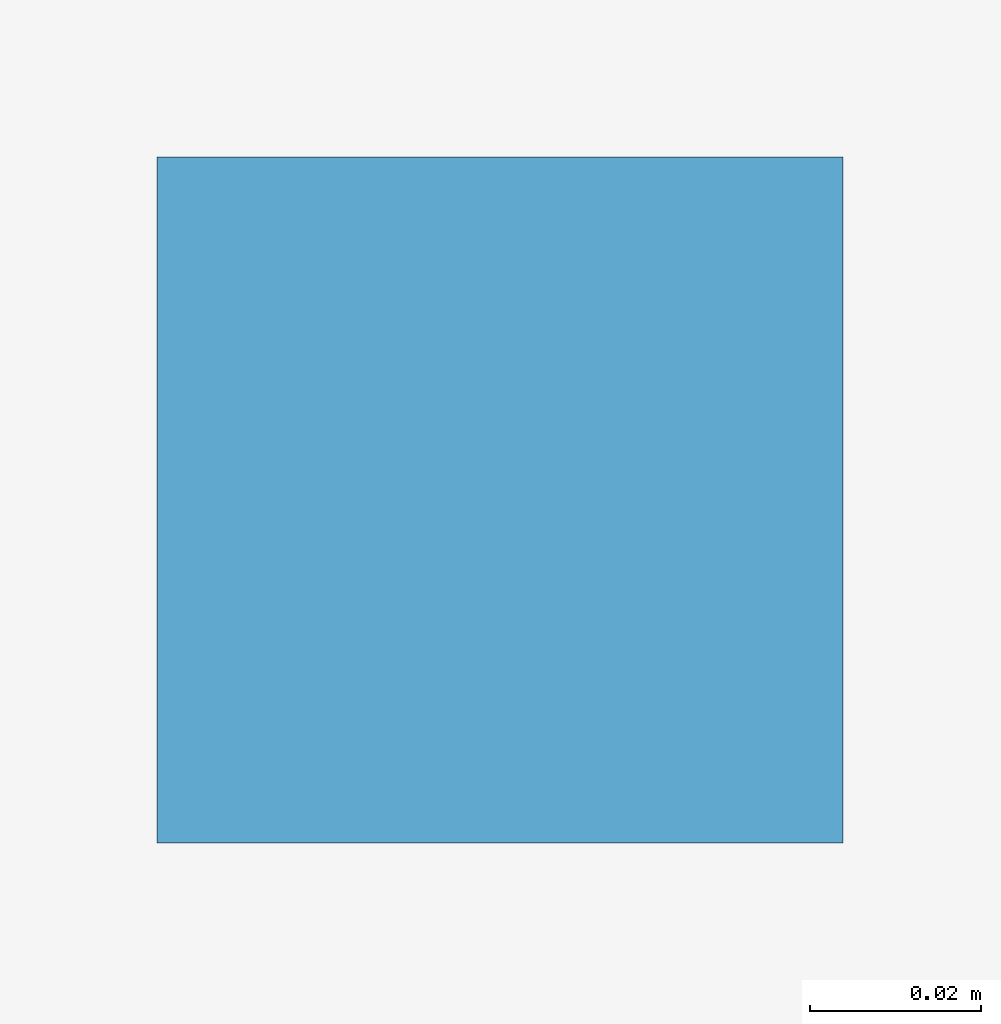
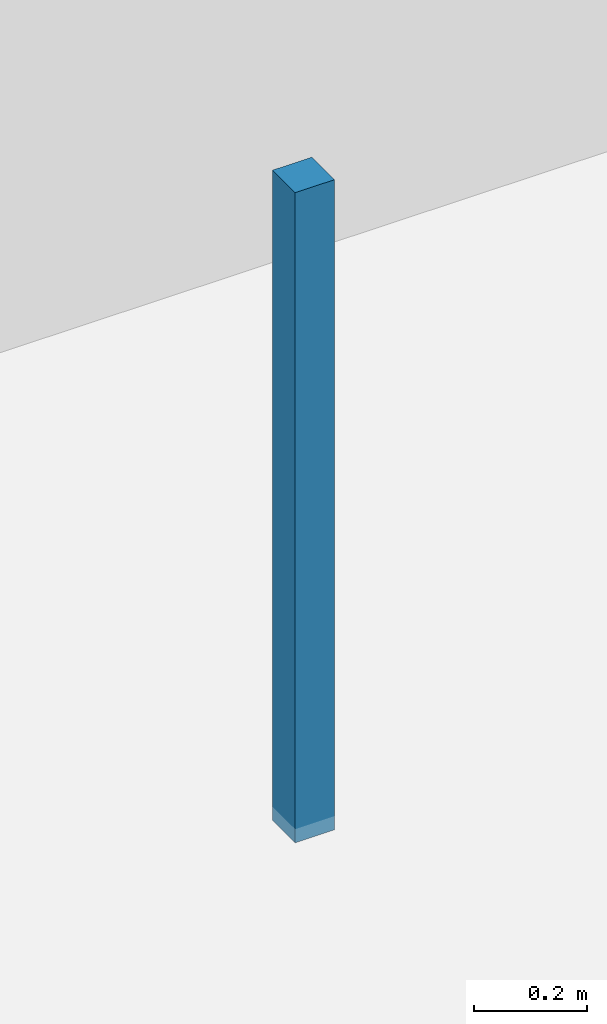
# One storey, part 10 of 14: 1 discrete accessory.
"""IFC4 building model written with IfcOpenShell, lengths in metres."""

from ifc_helpers import new_model, si_unit, direction, frame, origin, origin_2d, place, context, subcontext, project, spatial, rectangle, extrude, source, transform, mapped, material, type_object, element, save


model = new_model("IFC4")

# Units and contexts
model_context = context("Model", 3, precision=1e-05, world=origin(), true_north=direction((0.0, 1.0)))
body_context = subcontext(model_context, "Body", "Model", "MODEL_VIEW")
ifc_project = project(units=[si_unit("LENGTHUNIT", "METRE"), si_unit("AREAUNIT", "SQUARE_METRE"), si_unit("VOLUMEUNIT", "CUBIC_METRE"), si_unit("PLANEANGLEUNIT", "RADIAN"), si_unit("MASSUNIT", "GRAM", prefix="KILO")], contexts=[model_context])

# Site, building, storey
site_placement = place(None, origin())
site = spatial("IfcSite", under=ifc_project, at=site_placement, CompositionType="ELEMENT")
building_placement = place(site_placement, origin())
building = spatial("IfcBuilding", under=site, at=building_placement, Name="Giltprow Tower", CompositionType="ELEMENT")
storey_placement = place(building_placement, frame((0.0, 0.0, 15.199951171875)))
storey = spatial("IfcBuildingStorey", under=building, at=storey_placement, Name="L04", CompositionType="ELEMENT", Elevation=15.199951171875)

# Discrete accessory
ifc_material = material(Name="Structural steel Q355B", Category="steel")
discrete_accessory_type = type_object("IfcDiscreteAccessoryType", Name="ACC-CLG-HANGER", PredefinedType="BRACKET", material=ifc_material)
shared_shape = source(origin(), body_context, "Body", "SweptSolid", [
    extrude(rectangle(XDim=0.080078125, YDim=0.080078125, at=origin_2d()), origin(), (0.0, 0.0, 1.0), 1.39990234375),
])
discrete_accessory_placement = place(storey_placement, frame((7.89990234375, 11.85009765625, 3.27001953125), z_axis=(0.0, 0.0, 1.0), x_axis=(1.0, 0.0, 0.0)))
element("IfcDiscreteAccessory", 1, at=discrete_accessory_placement, inside=storey, type_object=discrete_accessory_type, Name="L04 Acoustic Suspended Ceiling Suspension Hanger", PredefinedType="BRACKET", context=body_context, shape_type="MappedRepresentation", body=[
    mapped(shared_shape, transform((0.0, 0.0, 0.0), x_axis=(1.0, 0.0, 0.0), y_axis=(0.0, 1.0, 0.0), z_axis=(0.0, 0.0, 1.0), scale=1.0)),
])

save(model, "model.ifc")
